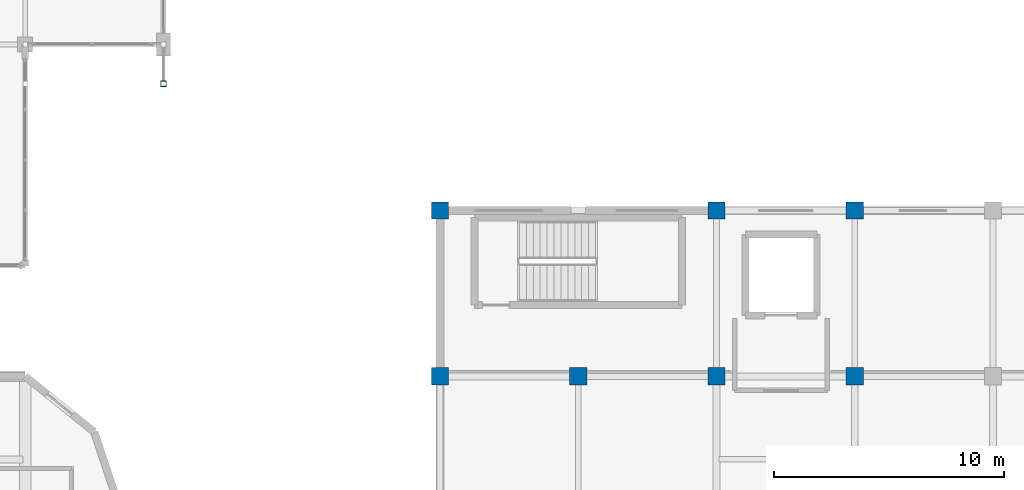
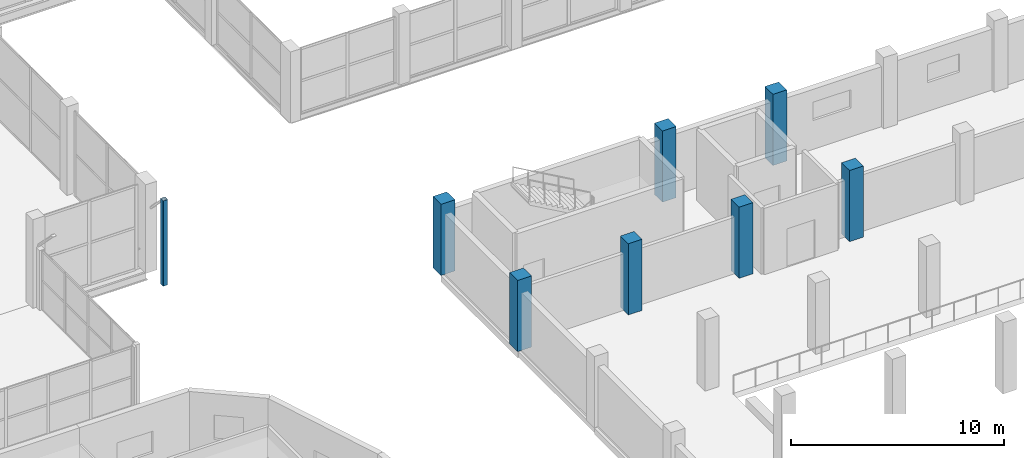
# One storey, part 5 of 127: 8 columns.
"""IFC4 building model written with IfcOpenShell, lengths in metres."""

from ifc_helpers import new_model, si_unit, direction, frame, origin, origin_2d, place, context, subcontext, project, spatial, rectangle, hollow_rectangle, extrude, material, material_profile, profile_set, type_object, element, save


model = new_model("IFC4")

# Units and contexts
model_context = context("Model", 3, precision=1e-05, world=origin(), true_north=direction((0.0, 1.0)))
body_context = subcontext(model_context, "Body", "Model", "MODEL_VIEW")
ifc_project = project(units=[si_unit("LENGTHUNIT", "METRE"), si_unit("AREAUNIT", "SQUARE_METRE"), si_unit("VOLUMEUNIT", "CUBIC_METRE"), si_unit("PLANEANGLEUNIT", "RADIAN"), si_unit("MASSUNIT", "GRAM", prefix="KILO")], contexts=[model_context])

# Site, building, storey
site_placement = place(None, origin())
site = spatial("IfcSite", under=ifc_project, at=site_placement, CompositionType="ELEMENT")
building_placement = place(site_placement, origin())
building = spatial("IfcBuilding", under=site, at=building_placement, Name="Dunvalen Ferry Terminal", CompositionType="ELEMENT")
storey_placement = place(building_placement, frame((0.0, 0.0, 5.760009765625)))
storey = spatial("IfcBuildingStorey", under=building, at=storey_placement, Name="L01", CompositionType="ELEMENT", Elevation=5.760009765625)

# Columns
ifc_material_1 = material(Name="Concrete C40/50", Category="concrete")
ifc_material_profile_1 = material_profile(ifc_material_1, rectangle(XDim=0.75, YDim=0.75, at=origin_2d()), Name="Concrete C40/50")
ifc_profile_set_1 = profile_set([ifc_material_profile_1], Name="Concrete C40/50")
column_type_1 = type_object("IfcColumnType", Name="STR-COL-RC750", PredefinedType="COLUMN", material=ifc_profile_set_1)
for number, where, z_axis, x_axis, name in (
    (1, (108.0, 36.0, 0.0), (0.0, 0.0, 1.0), (1.0, 0.0, 0.0), "L01 Vehicle Marshalling Column 06"),
    (2, (108.0, 43.199951171875, 0.0), (0.0, 0.0, 1.0), (1.0, 0.0, 0.0), "L01 Vehicle Marshalling Column 07"),
    (3, (114.0, 36.0, 0.0), (0.0, 0.0, 1.0), (1.0, 0.0, 0.0), "L01 Vehicle Marshalling Column 13"),
    (4, (120.0, 36.0, 0.0), (0.0, 0.0, 1.0), (1.0, 0.0, 0.0), "L01 Vehicle Marshalling Column 19"),
    (5, (120.0, 43.199951171875, 0.0), (0.0, 0.0, 1.0), (1.0, 0.0, 0.0), "L01 Vehicle Marshalling Column 20"),
    (6, (126.0, 36.0, 0.0), (0.0, 0.0, 1.0), (1.0, 0.0, 0.0), "L01 Vehicle Marshalling Column 26"),
    (7, (126.0, 43.199951171875, 0.0), (0.0, 0.0, 1.0), (1.0, 0.0, 0.0), "L01 Vehicle Marshalling Column 27"),
):
    element("IfcColumn", number, at=place(storey_placement, frame(where, z_axis=z_axis, x_axis=x_axis)), inside=storey, type_object=column_type_1, Name=name, PredefinedType="COLUMN", context=body_context, shape_type="SweptSolid", body=[
        extrude(rectangle(XDim=0.75, YDim=0.75, at=origin_2d()), origin(), (0.0, 0.0, 1.0), 4.080078125),
    ])
ifc_material_2 = material(Name="Steel S355", Category="steel")
ifc_material_profile_2 = material_profile(ifc_material_2, hollow_rectangle(XDim=0.25, YDim=0.25, WallThickness=0.010009765625, InnerFilletRadius=0.010009765625, OuterFilletRadius=0.02001953125, at=origin_2d()), Name="Steel S355")
ifc_profile_set_2 = profile_set([ifc_material_profile_2], Name="Steel S355")
column_type_2 = type_object("IfcColumnType", Name="STR-COL-SHS250", PredefinedType="COLUMN", material=ifc_profile_set_2)
column_placement = place(storey_placement, frame((96.0, 48.699951171875, 0.0), z_axis=(0.0, 0.0, 1.0), x_axis=(1.0, 0.0, 0.0)))
element("IfcColumn", 8, at=column_placement, inside=storey, type_object=column_type_2, Name="L01 Eave Colonnade Post 6", PredefinedType="COLUMN", context=body_context, shape_type="SweptSolid", body=[
    extrude(hollow_rectangle(XDim=0.25, YDim=0.25, WallThickness=0.010009765625, InnerFilletRadius=0.010009765625, OuterFilletRadius=0.02001953125, at=origin_2d()), origin(), (0.0, 0.0, 1.0), 4.89990234375),
])

save(model, "model.ifc")
